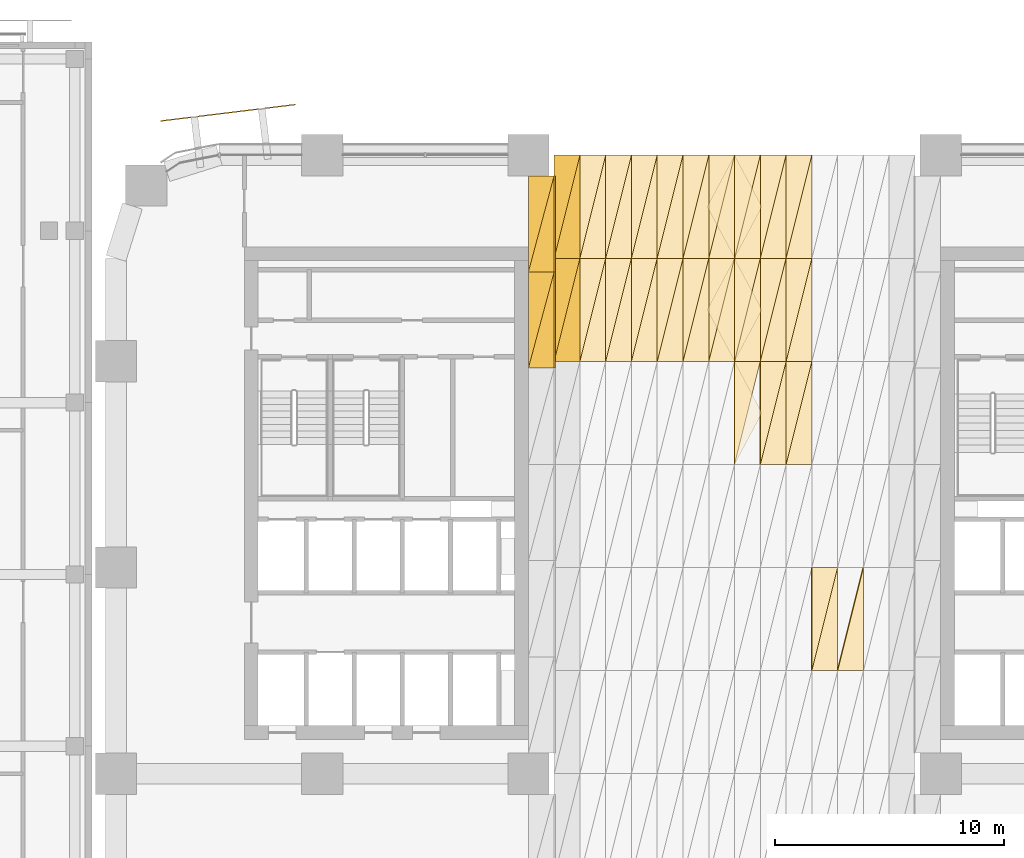
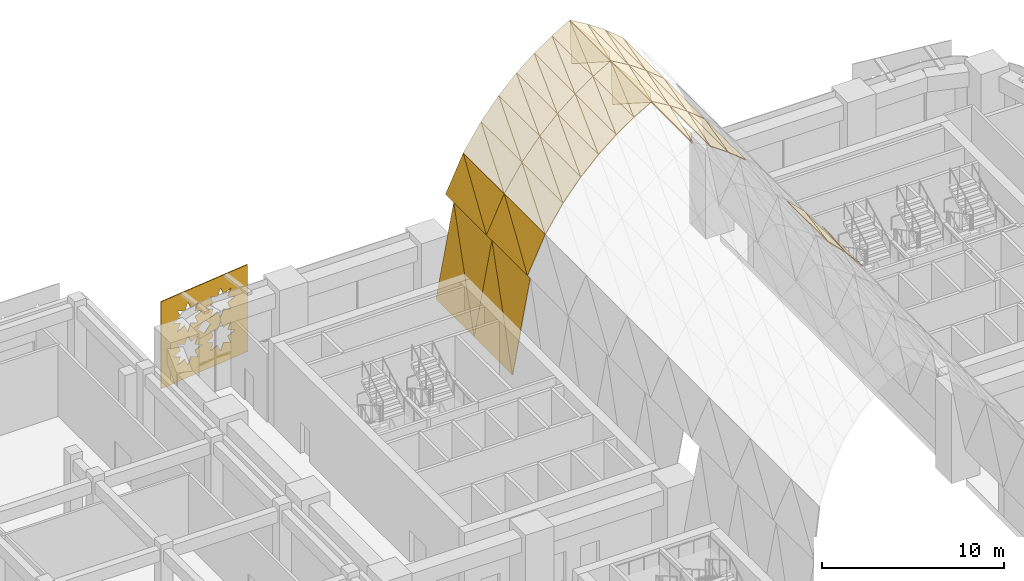
# One storey, part 43 of 46: 58 coverings.
"""IFC4 building model written with IfcOpenShell, lengths in metres."""

from ifc_helpers import new_model, si_unit, direction, frame, origin, place, context, subcontext, project, spatial, polyline, outline, extrude, material, layer, layer_set, type_object, element, save


model = new_model("IFC4")

# Units and contexts
model_context = context("Model", 3, precision=1e-05, world=origin(), true_north=direction((0.0, 1.0)))
body_context = subcontext(model_context, "Body", "Model", "MODEL_VIEW")
ifc_project = project(units=[si_unit("LENGTHUNIT", "METRE"), si_unit("AREAUNIT", "SQUARE_METRE"), si_unit("VOLUMEUNIT", "CUBIC_METRE"), si_unit("PLANEANGLEUNIT", "RADIAN"), si_unit("MASSUNIT", "GRAM", prefix="KILO")], contexts=[model_context])

# Site, building, storey
site_placement = place(None, origin())
site = spatial("IfcSite", under=ifc_project, at=site_placement, CompositionType="ELEMENT")
building_placement = place(site_placement, origin())
building = spatial("IfcBuilding", under=site, at=building_placement, Name="Tessera Arch", CompositionType="ELEMENT")
storey_placement = place(building_placement, frame((0.0, 0.0, 8.0)))
storey = spatial("IfcBuildingStorey", under=building, at=storey_placement, Name="L01", CompositionType="ELEMENT", Elevation=8.0)

# Coverings
ifc_material_1 = material(Name="Aluminium cladding pale metal anodised", Category="aluminium")
ifc_layer_1 = layer(ifc_material_1, 0.050048828125)
ifc_layer_set_1 = layer_set([ifc_layer_1], Name="Arch soffit panel")
covering_type_1 = type_object("IfcCoveringType", Name="Arch soffit panel", PredefinedType="CLADDING", material=ifc_layer_set_1)
covering_1_placement = place(storey_placement, frame((18.0, 44.699951171875, 2.0), z_axis=(-0.98331706381, 0.0, 0.181899840628), x_axis=(0.181899840628, 0.0, 0.98331706381)))
element("IfcCovering", 1, at=covering_1_placement, inside=storey, type_object=covering_type_1, Name="Arch soffit panel 1-11-1", PredefinedType="CLADDING", context=body_context, shape_type="SweptSolid", body=[
    extrude(outline(polyline([(0.0, 0.0), (6.184722296170829, 0.0), (6.184722296170829, 4.199951171875), (0.0, 0.0)])), origin(), (0.0, 0.0, -1.0), 0.050048828125),
])
covering_2_placement = place(storey_placement, frame((18.0, 44.699951171875, 2.0), z_axis=(-0.98331706381, 0.0, 0.181899840628), x_axis=(0.150481805158, 0.561792207927, 0.81347694585)))
element("IfcCovering", 2, at=covering_2_placement, inside=storey, type_object=covering_type_1, Name="Arch soffit panel 1-11-2", PredefinedType="CLADDING", context=body_context, shape_type="SweptSolid", body=[
    extrude(outline(polyline([(0.0, 0.0), (7.475986873108242, 4.440892098500626e-16), (2.3594998420322653, 3.474528794179709), (0.0, 0.0)])), origin(), (0.0, 0.0, -1.0), 0.050048828125),
])
covering_3_placement = place(storey_placement, frame((18.0, 48.89990234375, 2.0), z_axis=(-0.98331706381, 0.0, 0.181899840628), x_axis=(0.181899840628, 0.0, 0.98331706381)))
element("IfcCovering", 3, at=covering_3_placement, inside=storey, type_object=covering_type_1, Name="Arch soffit panel 1-12-1", PredefinedType="CLADDING", context=body_context, shape_type="SweptSolid", body=[
    extrude(outline(polyline([(0.0, 0.0), (6.184722296170829, 0.0), (6.184722296170829, 4.200195312500001), (0.0, 0.0)])), origin(), (0.0, 0.0, -1.0), 0.050048828125),
])
covering_4_placement = place(storey_placement, frame((18.0, 48.89990234375, 2.0), z_axis=(-0.98331706381, 0.0, 0.181899840628), x_axis=(0.150479044377, 0.561814557175, 0.813462021578)))
element("IfcCovering", 4, at=covering_4_placement, inside=storey, type_object=covering_type_1, Name="Arch soffit panel 1-12-2", PredefinedType="CLADDING", context=body_context, shape_type="SweptSolid", body=[
    extrude(outline(polyline([(0.0, 0.0), (7.47612403213721, 4.440892098500626e-16), (2.3597308695403933, 3.4746670180731147), (0.0, 0.0)])), origin(), (0.0, 0.0, -1.0), 0.050048828125),
])
covering_5_placement = place(storey_placement, frame((19.125, 45.0, 8.08154296875), z_axis=(-0.903430696756, 0.0, 0.428734155577), x_axis=(0.428734155577, 0.0, 0.903430696756)))
element("IfcCovering", 5, at=covering_5_placement, inside=storey, type_object=covering_type_1, Name="Arch soffit panel 2-11-1", PredefinedType="CLADDING", context=body_context, shape_type="SweptSolid", body=[
    extrude(outline(polyline([(0.0, 0.0), (2.624003675391368, 0.0), (2.624003675391368, 4.500000000000001), (0.0, 0.0)])), origin(), (0.0, 0.0, -1.0), 0.050048828125),
])
covering_6_placement = place(storey_placement, frame((19.125, 45.0, 8.08154296875), z_axis=(-0.903430696756, 0.0, 0.428734155577), x_axis=(0.215965533365, 0.863862133459, 0.455083621739)))
element("IfcCovering", 6, at=covering_6_placement, inside=storey, type_object=covering_type_1, Name="Arch soffit panel 2-11-2", PredefinedType="CLADDING", context=body_context, shape_type="SweptSolid", body=[
    extrude(outline(polyline([(0.0, 0.0), (5.209164548031422, 0.0), (3.887379600564281, 2.2667774132271337), (0.0, 0.0)])), origin(), (0.0, 0.0, -1.0), 0.050048828125),
])
covering_7_placement = place(storey_placement, frame((19.125, 49.5, 8.08154296875), z_axis=(-0.903430696756, 0.0, 0.428734155577), x_axis=(0.428734155577, 0.0, 0.903430696756)))
element("IfcCovering", 7, at=covering_7_placement, inside=storey, type_object=covering_type_1, Name="Arch soffit panel 2-12-1", PredefinedType="CLADDING", context=body_context, shape_type="SweptSolid", body=[
    extrude(outline(polyline([(0.0, 0.0), (2.624003675391368, 0.0), (2.624003675391368, 4.500000000000001), (0.0, 0.0)])), origin(), (0.0, 0.0, -1.0), 0.050048828125),
])
covering_8_placement = place(storey_placement, frame((19.125, 49.5, 8.08154296875), z_axis=(-0.903430696756, 0.0, 0.428734155577), x_axis=(0.215965533365, 0.863862133459, 0.455083621739)))
element("IfcCovering", 8, at=covering_8_placement, inside=storey, type_object=covering_type_1, Name="Arch soffit panel 2-12-2", PredefinedType="CLADDING", context=body_context, shape_type="SweptSolid", body=[
    extrude(outline(polyline([(0.0, 0.0), (5.209164548031422, 0.0), (3.887379600564281, 2.2667774132271337), (0.0, 0.0)])), origin(), (0.0, 0.0, -1.0), 0.050048828125),
])
covering_9_placement = place(storey_placement, frame((20.25, 45.0, 10.4521484375), z_axis=(-0.836058150895, 0.0, 0.548640837272), x_axis=(0.548640837272, 0.0, 0.836058150895)))
element("IfcCovering", 9, at=covering_9_placement, inside=storey, type_object=covering_type_1, Name="Arch soffit panel 3-11-1", PredefinedType="CLADDING", context=body_context, shape_type="SweptSolid", body=[
    extrude(outline(polyline([(0.0, 0.0), (2.050521805110356, 0.0), (2.050521805110356, 4.500000000000001), (0.0, 0.0)])), origin(), (0.0, 0.0, -1.0), 0.050048828125),
])
covering_10_placement = place(storey_placement, frame((20.25, 45.0, 10.4521484375), z_axis=(-0.836058150895, 0.0, 0.548640837272), x_axis=(0.227495016996, 0.909980067983, 0.346673179111)))
element("IfcCovering", 10, at=covering_10_placement, inside=storey, type_object=covering_type_1, Name="Arch soffit panel 3-11-2", PredefinedType="CLADDING", context=body_context, shape_type="SweptSolid", body=[
    extrude(outline(polyline([(0.0, 0.0), (4.945163260523664, 0.0), (4.094910305924995, 1.8659339716156267), (0.0, 0.0)])), origin(), (0.0, 0.0, -1.0), 0.050048828125),
])
covering_11_placement = place(storey_placement, frame((20.25, 49.5, 10.4521484375), z_axis=(-0.836058150895, 0.0, 0.548640837272), x_axis=(0.548640837272, 0.0, 0.836058150895)))
element("IfcCovering", 11, at=covering_11_placement, inside=storey, type_object=covering_type_1, Name="Arch soffit panel 3-12-1", PredefinedType="CLADDING", context=body_context, shape_type="SweptSolid", body=[
    extrude(outline(polyline([(0.0, 0.0), (2.050521805110356, 0.0), (2.050521805110356, 4.500000000000001), (0.0, 0.0)])), origin(), (0.0, 0.0, -1.0), 0.050048828125),
])
covering_12_placement = place(storey_placement, frame((20.25, 49.5, 10.4521484375), z_axis=(-0.836058150895, 0.0, 0.548640837272), x_axis=(0.227495016996, 0.909980067983, 0.346673179111)))
element("IfcCovering", 12, at=covering_12_placement, inside=storey, type_object=covering_type_1, Name="Arch soffit panel 3-12-2", PredefinedType="CLADDING", context=body_context, shape_type="SweptSolid", body=[
    extrude(outline(polyline([(0.0, 0.0), (4.945163260523664, 0.0), (4.094910305924995, 1.8659339716156267), (0.0, 0.0)])), origin(), (0.0, 0.0, -1.0), 0.050048828125),
])
covering_13_placement = place(storey_placement, frame((21.375, 45.0, 12.16650390625), z_axis=(-0.769435590456, 0.0, 0.638724410164), x_axis=(0.638724410164, 0.0, 0.769435590456)))
element("IfcCovering", 13, at=covering_13_placement, inside=storey, type_object=covering_type_1, Name="Arch soffit panel 4-11-1", PredefinedType="CLADDING", context=body_context, shape_type="SweptSolid", body=[
    extrude(outline(polyline([(0.0, 0.0), (1.7613230089496987, 0.0), (1.7613230089496987, 4.5), (0.0, 0.0)])), origin(), (0.0, 0.0, -1.0), 0.050048828125),
])
covering_14_placement = place(storey_placement, frame((21.375, 45.0, 12.16650390625), z_axis=(-0.769435590456, 0.0, 0.638724410164), x_axis=(0.232802733554, 0.931210934214, 0.280444438793)))
element("IfcCovering", 14, at=covering_14_placement, inside=storey, type_object=covering_type_1, Name="Arch soffit panel 4-11-2", PredefinedType="CLADDING", context=body_context, shape_type="SweptSolid", body=[
    extrude(outline(polyline([(0.0, 0.0), (4.832417484226257, 2.220446049250313e-16), (4.190449203964491, 1.640163244617246), (0.0, 0.0)])), origin(), (0.0, 0.0, -1.0), 0.050048828125),
])
covering_15_placement = place(storey_placement, frame((21.375, 49.5, 12.16650390625), z_axis=(-0.769435590456, 0.0, 0.638724410164), x_axis=(0.638724410164, 0.0, 0.769435590456)))
element("IfcCovering", 15, at=covering_15_placement, inside=storey, type_object=covering_type_1, Name="Arch soffit panel 4-12-1", PredefinedType="CLADDING", context=body_context, shape_type="SweptSolid", body=[
    extrude(outline(polyline([(0.0, 0.0), (1.7613230089496987, 0.0), (1.7613230089496987, 4.5), (0.0, 0.0)])), origin(), (0.0, 0.0, -1.0), 0.050048828125),
])
covering_16_placement = place(storey_placement, frame((21.375, 49.5, 12.16650390625), z_axis=(-0.769435590456, 0.0, 0.638724410164), x_axis=(0.232802733554, 0.931210934214, 0.280444438793)))
element("IfcCovering", 16, at=covering_16_placement, inside=storey, type_object=covering_type_1, Name="Arch soffit panel 4-12-2", PredefinedType="CLADDING", context=body_context, shape_type="SweptSolid", body=[
    extrude(outline(polyline([(0.0, 0.0), (4.832417484226257, 2.220446049250313e-16), (4.190449203964491, 1.640163244617246), (0.0, 0.0)])), origin(), (0.0, 0.0, -1.0), 0.050048828125),
])
covering_17_placement = place(storey_placement, frame((22.5, 45.0, 13.521728515625), z_axis=(-0.70300502251, 0.0, 0.711184883364), x_axis=(0.711184883364, 0.0, 0.70300502251)))
element("IfcCovering", 17, at=covering_17_placement, inside=storey, type_object=covering_type_1, Name="Arch soffit panel 5-11-1", PredefinedType="CLADDING", context=body_context, shape_type="SweptSolid", body=[
    extrude(outline(polyline([(0.0, 0.0), (1.5818671435730385, 0.0), (1.5818671435730385, 4.5), (0.0, 0.0)])), origin(), (0.0, 0.0, -1.0), 0.050048828125),
])
covering_18_placement = place(storey_placement, frame((22.5, 45.0, 13.521728515625), z_axis=(-0.70300502251, 0.0, 0.711184883364), x_axis=(0.235852147397, 0.943408589587, 0.233139438236)))
element("IfcCovering", 18, at=covering_18_placement, inside=storey, type_object=covering_type_1, Name="Arch soffit panel 5-11-2", PredefinedType="CLADDING", context=body_context, shape_type="SweptSolid", body=[
    extrude(outline(polyline([(0.0, 0.0), (4.769937490147635, 0.0), (4.245338653143071, 1.4923470508328087), (0.0, 0.0)])), origin(), (0.0, 0.0, -1.0), 0.050048828125),
])
covering_19_placement = place(storey_placement, frame((22.5, 49.5, 13.521728515625), z_axis=(-0.70300502251, 0.0, 0.711184883364), x_axis=(0.711184883364, 0.0, 0.70300502251)))
element("IfcCovering", 19, at=covering_19_placement, inside=storey, type_object=covering_type_1, Name="Arch soffit panel 5-12-1", PredefinedType="CLADDING", context=body_context, shape_type="SweptSolid", body=[
    extrude(outline(polyline([(0.0, 0.0), (1.5818671435730385, 0.0), (1.5818671435730385, 4.5), (0.0, 0.0)])), origin(), (0.0, 0.0, -1.0), 0.050048828125),
])
covering_20_placement = place(storey_placement, frame((22.5, 49.5, 13.521728515625), z_axis=(-0.70300502251, 0.0, 0.711184883364), x_axis=(0.235852147397, 0.943408589587, 0.233139438236)))
element("IfcCovering", 20, at=covering_20_placement, inside=storey, type_object=covering_type_1, Name="Arch soffit panel 5-12-2", PredefinedType="CLADDING", context=body_context, shape_type="SweptSolid", body=[
    extrude(outline(polyline([(0.0, 0.0), (4.769937490147635, 0.0), (4.245338653143071, 1.4923470508328087), (0.0, 0.0)])), origin(), (0.0, 0.0, -1.0), 0.050048828125),
])
covering_21_placement = place(storey_placement, frame((23.625, 45.0, 14.6337890625), z_axis=(-0.636621915226, 0.0, 0.771176073964), x_axis=(0.771176073964, 0.0, 0.636621915226)))
element("IfcCovering", 21, at=covering_21_placement, inside=storey, type_object=covering_type_1, Name="Arch soffit panel 6-11-1", PredefinedType="CLADDING", context=body_context, shape_type="SweptSolid", body=[
    extrude(outline(polyline([(0.0, 0.0), (1.4588108189316835, 0.0), (1.4588108189316835, 4.5), (0.0, 0.0)])), origin(), (0.0, 0.0, -1.0), 0.050048828125),
])
covering_22_placement = place(storey_placement, frame((23.625, 45.0, 14.6337890625), z_axis=(-0.636621915226, 0.0, 0.771176073964), x_axis=(0.237815762211, 0.951263048844, 0.1963218662)))
element("IfcCovering", 22, at=covering_22_placement, inside=storey, type_object=covering_type_1, Name="Arch soffit panel 6-11-2", PredefinedType="CLADDING", context=body_context, shape_type="SweptSolid", body=[
    extrude(outline(polyline([(0.0, 0.0), (4.730552716695177, 1.1102230246251565e-16), (4.280683719797313, 1.3877128273033432), (0.0, 0.0)])), origin(), (0.0, 0.0, -1.0), 0.050048828125),
])
covering_23_placement = place(storey_placement, frame((23.625, 49.5, 14.6337890625), z_axis=(-0.636621915226, 0.0, 0.771176073964), x_axis=(0.771176073964, 0.0, 0.636621915226)))
element("IfcCovering", 23, at=covering_23_placement, inside=storey, type_object=covering_type_1, Name="Arch soffit panel 6-12-1", PredefinedType="CLADDING", context=body_context, shape_type="SweptSolid", body=[
    extrude(outline(polyline([(0.0, 0.0), (1.4588108189316835, 0.0), (1.4588108189316835, 4.5), (0.0, 0.0)])), origin(), (0.0, 0.0, -1.0), 0.050048828125),
])
covering_24_placement = place(storey_placement, frame((23.625, 49.5, 14.6337890625), z_axis=(-0.636621915226, 0.0, 0.771176073964), x_axis=(0.237815762211, 0.951263048844, 0.1963218662)))
element("IfcCovering", 24, at=covering_24_placement, inside=storey, type_object=covering_type_1, Name="Arch soffit panel 6-12-2", PredefinedType="CLADDING", context=body_context, shape_type="SweptSolid", body=[
    extrude(outline(polyline([(0.0, 0.0), (4.730552716695177, 1.1102230246251565e-16), (4.280683719797313, 1.3877128273033432), (0.0, 0.0)])), origin(), (0.0, 0.0, -1.0), 0.050048828125),
])
covering_25_placement = place(storey_placement, frame((24.75, 45.0, 15.5625), z_axis=(-0.570275535921, 0.0, 0.821453475938), x_axis=(0.821453475938, 0.0, 0.570275535921)))
element("IfcCovering", 25, at=covering_25_placement, inside=storey, type_object=covering_type_1, Name="Arch soffit panel 7-11-1", PredefinedType="CLADDING", context=body_context, shape_type="SweptSolid", body=[
    extrude(outline(polyline([(0.0, 0.0), (1.3695236954423544, 0.0), (1.3695236954423544, 4.5), (0.0, 0.0)])), origin(), (0.0, 0.0, -1.0), 0.050048828125),
])
covering_26_placement = place(storey_placement, frame((24.75, 45.0, 15.5625), z_axis=(-0.570275535921, 0.0, 0.821453475938), x_axis=(0.239169084806, 0.956676339224, 0.166037739213)))
element("IfcCovering", 26, at=covering_26_placement, inside=storey, type_object=covering_type_1, Name="Arch soffit panel 7-11-2", PredefinedType="CLADDING", context=body_context, shape_type="SweptSolid", body=[
    extrude(outline(polyline([(0.0, 0.0), (4.703785194115276, 1.6653345369377348e-16), (4.305043526505844, 1.3101909154356595), (0.0, 0.0)])), origin(), (0.0, 0.0, -1.0), 0.050048828125),
])
covering_27_placement = place(storey_placement, frame((24.75, 49.5, 15.5625), z_axis=(-0.570275535921, 0.0, 0.821453475938), x_axis=(0.821453475938, 0.0, 0.570275535921)))
element("IfcCovering", 27, at=covering_27_placement, inside=storey, type_object=covering_type_1, Name="Arch soffit panel 7-12-1", PredefinedType="CLADDING", context=body_context, shape_type="SweptSolid", body=[
    extrude(outline(polyline([(0.0, 0.0), (1.3695236954423544, 0.0), (1.3695236954423544, 4.5), (0.0, 0.0)])), origin(), (0.0, 0.0, -1.0), 0.050048828125),
])
covering_28_placement = place(storey_placement, frame((24.75, 49.5, 15.5625), z_axis=(-0.570275535921, 0.0, 0.821453475938), x_axis=(0.239169084806, 0.956676339224, 0.166037739213)))
element("IfcCovering", 28, at=covering_28_placement, inside=storey, type_object=covering_type_1, Name="Arch soffit panel 7-12-2", PredefinedType="CLADDING", context=body_context, shape_type="SweptSolid", body=[
    extrude(outline(polyline([(0.0, 0.0), (4.703785194115276, 1.6653345369377348e-16), (4.305043526505844, 1.3101909154356595), (0.0, 0.0)])), origin(), (0.0, 0.0, -1.0), 0.050048828125),
])
covering_29_placement = place(storey_placement, frame((25.875, 45.0, 16.343505859375), z_axis=(-0.504010866283, 0.0, 0.863697311949), x_axis=(0.863697311949, 0.0, 0.504010866283)))
element("IfcCovering", 29, at=covering_29_placement, inside=storey, type_object=covering_type_1, Name="Arch soffit panel 8-11-1", PredefinedType="CLADDING", context=body_context, shape_type="SweptSolid", body=[
    extrude(outline(polyline([(0.0, 0.0), (1.3025396564692215, 0.0), (1.3025396564692215, 4.5), (0.0, 0.0)])), origin(), (0.0, 0.0, -1.0), 0.050048828125),
])
covering_30_placement = place(storey_placement, frame((25.875, 45.0, 16.343505859375), z_axis=(-0.504010866283, 0.0, 0.863697311949), x_axis=(0.240142376268, 0.960569505072, 0.140135167054)))
element("IfcCovering", 30, at=covering_30_placement, inside=storey, type_object=covering_type_1, Name="Arch soffit panel 8-11-2", PredefinedType="CLADDING", context=body_context, shape_type="SweptSolid", body=[
    extrude(outline(polyline([(0.0, 0.0), (4.684720862193921, 1.6653345369377348e-16), (4.322562772825837, 1.2511798731518247), (0.0, 0.0)])), origin(), (0.0, 0.0, -1.0), 0.050048828125),
])
covering_31_placement = place(storey_placement, frame((25.875, 49.5, 16.343505859375), z_axis=(-0.504010866283, 0.0, 0.863697311949), x_axis=(0.863697311949, 0.0, 0.504010866283)))
element("IfcCovering", 31, at=covering_31_placement, inside=storey, type_object=covering_type_1, Name="Arch soffit panel 8-12-1", PredefinedType="CLADDING", context=body_context, shape_type="SweptSolid", body=[
    extrude(outline(polyline([(0.0, 0.0), (1.3025396564692215, 0.0), (1.3025396564692215, 4.5), (0.0, 0.0)])), origin(), (0.0, 0.0, -1.0), 0.050048828125),
])
for number, where, z_axis, x_axis, name in (
    (32, (25.875, 49.5, 16.343505859375), (-0.504010866283, 0.0, 0.863697311949), (0.240142376268, 0.960569505072, 0.140135167054), "Arch soffit panel 8-12-2"),
    (33, (27.0, 40.5, 17.0), (0.504010866283, 0.0, 0.863697311949), (0.240142376268, 0.960569505072, -0.140135167054), "Arch soffit panel 9-10-2"),
):
    element("IfcCovering", number, at=place(storey_placement, frame(where, z_axis=z_axis, x_axis=x_axis)), inside=storey, type_object=covering_type_1, Name=name, PredefinedType="CLADDING", context=body_context, shape_type="SweptSolid", body=[
        extrude(outline(polyline([(0.0, 0.0), (4.684720862193921, 1.6653345369377348e-16), (4.322562772825837, 1.2511798731518247), (0.0, 0.0)])), origin(), (0.0, 0.0, -1.0), 0.050048828125),
    ])
covering_32_placement = place(storey_placement, frame((27.0, 45.0, 17.0), z_axis=(0.504010866283, 0.0, 0.863697311949), x_axis=(0.863697311949, 0.0, -0.504010866283)))
element("IfcCovering", 34, at=covering_32_placement, inside=storey, type_object=covering_type_1, Name="Arch soffit panel 9-11-1", PredefinedType="CLADDING", context=body_context, shape_type="SweptSolid", body=[
    extrude(outline(polyline([(0.0, 0.0), (1.3025396564692215, 0.0), (1.3025396564692215, 4.5), (0.0, 0.0)])), origin(), (0.0, 0.0, -1.0), 0.050048828125),
])
covering_33_placement = place(storey_placement, frame((27.0, 45.0, 17.0), z_axis=(0.504010866283, 0.0, 0.863697311949), x_axis=(0.240142376268, 0.960569505072, -0.140135167054)))
element("IfcCovering", 35, at=covering_33_placement, inside=storey, type_object=covering_type_1, Name="Arch soffit panel 9-11-2", PredefinedType="CLADDING", context=body_context, shape_type="SweptSolid", body=[
    extrude(outline(polyline([(0.0, 0.0), (4.684720862193921, 1.6653345369377348e-16), (4.322562772825837, 1.2511798731518247), (0.0, 0.0)])), origin(), (0.0, 0.0, -1.0), 0.050048828125),
])
covering_34_placement = place(storey_placement, frame((27.0, 49.5, 17.0), z_axis=(0.504010866283, 0.0, 0.863697311949), x_axis=(0.863697311949, 0.0, -0.504010866283)))
element("IfcCovering", 36, at=covering_34_placement, inside=storey, type_object=covering_type_1, Name="Arch soffit panel 9-12-1", PredefinedType="CLADDING", context=body_context, shape_type="SweptSolid", body=[
    extrude(outline(polyline([(0.0, 0.0), (1.3025396564692215, 0.0), (1.3025396564692215, 4.5), (0.0, 0.0)])), origin(), (0.0, 0.0, -1.0), 0.050048828125),
])
covering_35_placement = place(storey_placement, frame((27.0, 49.5, 17.0), z_axis=(0.504010866283, 0.0, 0.863697311949), x_axis=(0.240142376268, 0.960569505072, -0.140135167054)))
element("IfcCovering", 37, at=covering_35_placement, inside=storey, type_object=covering_type_1, Name="Arch soffit panel 9-12-2", PredefinedType="CLADDING", context=body_context, shape_type="SweptSolid", body=[
    extrude(outline(polyline([(0.0, 0.0), (4.684720862193921, 1.6653345369377348e-16), (4.322562772825837, 1.2511798731518247), (0.0, 0.0)])), origin(), (0.0, 0.0, -1.0), 0.050048828125),
])
covering_36_placement = place(storey_placement, frame((28.125, 40.5, 16.343505859375), z_axis=(0.570275535921, 0.0, 0.821453475938), x_axis=(0.821453475938, 0.0, -0.570275535921)))
element("IfcCovering", 38, at=covering_36_placement, inside=storey, type_object=covering_type_1, Name="Arch soffit panel 10-10-1", PredefinedType="CLADDING", context=body_context, shape_type="SweptSolid", body=[
    extrude(outline(polyline([(0.0, 0.0), (1.3695236954423544, 0.0), (1.3695236954423544, 4.5), (0.0, 0.0)])), origin(), (0.0, 0.0, -1.0), 0.050048828125),
])
covering_37_placement = place(storey_placement, frame((28.125, 40.5, 16.343505859375), z_axis=(0.570275535921, 0.0, 0.821453475938), x_axis=(0.239169084806, 0.956676339224, -0.166037739213)))
element("IfcCovering", 39, at=covering_37_placement, inside=storey, type_object=covering_type_1, Name="Arch soffit panel 10-10-2", PredefinedType="CLADDING", context=body_context, shape_type="SweptSolid", body=[
    extrude(outline(polyline([(0.0, 0.0), (4.703785194115276, 1.6653345369377348e-16), (4.305043526505844, 1.3101909154356595), (0.0, 0.0)])), origin(), (0.0, 0.0, -1.0), 0.050048828125),
])
covering_38_placement = place(storey_placement, frame((28.125, 45.0, 16.343505859375), z_axis=(0.570275535921, 0.0, 0.821453475938), x_axis=(0.821453475938, 0.0, -0.570275535921)))
element("IfcCovering", 40, at=covering_38_placement, inside=storey, type_object=covering_type_1, Name="Arch soffit panel 10-11-1", PredefinedType="CLADDING", context=body_context, shape_type="SweptSolid", body=[
    extrude(outline(polyline([(0.0, 0.0), (1.3695236954423544, 0.0), (1.3695236954423544, 4.5), (0.0, 0.0)])), origin(), (0.0, 0.0, -1.0), 0.050048828125),
])
covering_39_placement = place(storey_placement, frame((28.125, 45.0, 16.343505859375), z_axis=(0.570275535921, 0.0, 0.821453475938), x_axis=(0.239169084806, 0.956676339224, -0.166037739213)))
element("IfcCovering", 41, at=covering_39_placement, inside=storey, type_object=covering_type_1, Name="Arch soffit panel 10-11-2", PredefinedType="CLADDING", context=body_context, shape_type="SweptSolid", body=[
    extrude(outline(polyline([(0.0, 0.0), (4.703785194115276, 1.6653345369377348e-16), (4.305043526505844, 1.3101909154356595), (0.0, 0.0)])), origin(), (0.0, 0.0, -1.0), 0.050048828125),
])
covering_40_placement = place(storey_placement, frame((28.125, 49.5, 16.343505859375), z_axis=(0.570275535921, 0.0, 0.821453475938), x_axis=(0.821453475938, 0.0, -0.570275535921)))
element("IfcCovering", 42, at=covering_40_placement, inside=storey, type_object=covering_type_1, Name="Arch soffit panel 10-12-1", PredefinedType="CLADDING", context=body_context, shape_type="SweptSolid", body=[
    extrude(outline(polyline([(0.0, 0.0), (1.3695236954423544, 0.0), (1.3695236954423544, 4.5), (0.0, 0.0)])), origin(), (0.0, 0.0, -1.0), 0.050048828125),
])
covering_41_placement = place(storey_placement, frame((28.125, 49.5, 16.343505859375), z_axis=(0.570275535921, 0.0, 0.821453475938), x_axis=(0.239169084806, 0.956676339224, -0.166037739213)))
element("IfcCovering", 43, at=covering_41_placement, inside=storey, type_object=covering_type_1, Name="Arch soffit panel 10-12-2", PredefinedType="CLADDING", context=body_context, shape_type="SweptSolid", body=[
    extrude(outline(polyline([(0.0, 0.0), (4.703785194115276, 1.6653345369377348e-16), (4.305043526505844, 1.3101909154356595), (0.0, 0.0)])), origin(), (0.0, 0.0, -1.0), 0.050048828125),
])
covering_42_placement = place(storey_placement, frame((29.25, 40.5, 15.5625), z_axis=(0.636621915226, 0.0, 0.771176073964), x_axis=(0.771176073964, 0.0, -0.636621915226)))
element("IfcCovering", 44, at=covering_42_placement, inside=storey, type_object=covering_type_1, Name="Arch soffit panel 11-10-1", PredefinedType="CLADDING", context=body_context, shape_type="SweptSolid", body=[
    extrude(outline(polyline([(0.0, 0.0), (1.4588108189316835, 0.0), (1.4588108189316835, 4.5), (0.0, 0.0)])), origin(), (0.0, 0.0, -1.0), 0.050048828125),
])
covering_43_placement = place(storey_placement, frame((29.25, 40.5, 15.5625), z_axis=(0.636621915226, 0.0, 0.771176073964), x_axis=(0.237815762211, 0.951263048844, -0.1963218662)))
element("IfcCovering", 45, at=covering_43_placement, inside=storey, type_object=covering_type_1, Name="Arch soffit panel 11-10-2", PredefinedType="CLADDING", context=body_context, shape_type="SweptSolid", body=[
    extrude(outline(polyline([(0.0, 0.0), (4.730552716695177, 1.1102230246251565e-16), (4.280683719797313, 1.3877128273033432), (0.0, 0.0)])), origin(), (0.0, 0.0, -1.0), 0.050048828125),
])
covering_44_placement = place(storey_placement, frame((29.25, 45.0, 15.5625), z_axis=(0.636621915226, 0.0, 0.771176073964), x_axis=(0.771176073964, 0.0, -0.636621915226)))
element("IfcCovering", 46, at=covering_44_placement, inside=storey, type_object=covering_type_1, Name="Arch soffit panel 11-11-1", PredefinedType="CLADDING", context=body_context, shape_type="SweptSolid", body=[
    extrude(outline(polyline([(0.0, 0.0), (1.4588108189316835, 0.0), (1.4588108189316835, 4.5), (0.0, 0.0)])), origin(), (0.0, 0.0, -1.0), 0.050048828125),
])
covering_45_placement = place(storey_placement, frame((29.25, 45.0, 15.5625), z_axis=(0.636621915226, 0.0, 0.771176073964), x_axis=(0.237815762211, 0.951263048844, -0.1963218662)))
element("IfcCovering", 47, at=covering_45_placement, inside=storey, type_object=covering_type_1, Name="Arch soffit panel 11-11-2", PredefinedType="CLADDING", context=body_context, shape_type="SweptSolid", body=[
    extrude(outline(polyline([(0.0, 0.0), (4.730552716695177, 1.1102230246251565e-16), (4.280683719797313, 1.3877128273033432), (0.0, 0.0)])), origin(), (0.0, 0.0, -1.0), 0.050048828125),
])
covering_46_placement = place(storey_placement, frame((29.25, 49.5, 15.5625), z_axis=(0.636621915226, 0.0, 0.771176073964), x_axis=(0.771176073964, 0.0, -0.636621915226)))
element("IfcCovering", 48, at=covering_46_placement, inside=storey, type_object=covering_type_1, Name="Arch soffit panel 11-12-1", PredefinedType="CLADDING", context=body_context, shape_type="SweptSolid", body=[
    extrude(outline(polyline([(0.0, 0.0), (1.4588108189316835, 0.0), (1.4588108189316835, 4.5), (0.0, 0.0)])), origin(), (0.0, 0.0, -1.0), 0.050048828125),
])
covering_47_placement = place(storey_placement, frame((29.25, 49.5, 15.5625), z_axis=(0.636621915226, 0.0, 0.771176073964), x_axis=(0.237815762211, 0.951263048844, -0.1963218662)))
element("IfcCovering", 49, at=covering_47_placement, inside=storey, type_object=covering_type_1, Name="Arch soffit panel 11-12-2", PredefinedType="CLADDING", context=body_context, shape_type="SweptSolid", body=[
    extrude(outline(polyline([(0.0, 0.0), (4.730552716695177, 1.1102230246251565e-16), (4.280683719797313, 1.3877128273033432), (0.0, 0.0)])), origin(), (0.0, 0.0, -1.0), 0.050048828125),
])
covering_48_placement = place(storey_placement, frame((30.375, 31.5, 14.6337890625), z_axis=(0.70300502251, 0.0, 0.711184883364), x_axis=(0.711184883364, 0.0, -0.70300502251)))
element("IfcCovering", 50, at=covering_48_placement, inside=storey, type_object=covering_type_1, Name="Arch soffit panel 12-8-1", PredefinedType="CLADDING", context=body_context, shape_type="SweptSolid", body=[
    extrude(outline(polyline([(0.0, 0.0), (1.5818671435730385, 0.0), (1.5818671435730385, 4.5), (0.0, 0.0)])), origin(), (0.0, 0.0, -1.0), 0.050048828125),
])
covering_49_placement = place(storey_placement, frame((30.375, 31.5, 14.6337890625), z_axis=(0.70300502251, 0.0, 0.711184883364), x_axis=(0.235852147397, 0.943408589587, -0.233139438236)))
element("IfcCovering", 51, at=covering_49_placement, inside=storey, type_object=covering_type_1, Name="Arch soffit panel 12-8-2", PredefinedType="CLADDING", context=body_context, shape_type="SweptSolid", body=[
    extrude(outline(polyline([(0.0, 0.0), (4.769937490147635, 0.0), (4.245338653143071, 1.4923470508328087), (0.0, 0.0)])), origin(), (0.0, 0.0, -1.0), 0.050048828125),
])
covering_50_placement = place(storey_placement, frame((31.5, 31.5, 13.521728515625), z_axis=(0.769435590456, 0.0, 0.638724410164), x_axis=(0.638724410164, 0.0, -0.769435590456)))
element("IfcCovering", 52, at=covering_50_placement, inside=storey, type_object=covering_type_1, Name="Arch soffit panel 13-8-1", PredefinedType="CLADDING", context=body_context, shape_type="SweptSolid", body=[
    extrude(outline(polyline([(0.0, 0.0), (1.7613230089496987, 0.0), (1.7613230089496987, 4.5), (0.0, 0.0)])), origin(), (0.0, 0.0, -1.0), 0.050048828125),
])
covering_51_placement = place(storey_placement, frame((27.0, 40.5, 16.949951171875), z_axis=(0.675690668518, 0.0, 0.737185268761), x_axis=(0.0, 1.0, 0.0)))
element("IfcCovering", 53, at=covering_51_placement, inside=storey, type_object=covering_type_1, Name="Arch soffit facet E10", PredefinedType="CLADDING", context=body_context, shape_type="SweptSolid", body=[
    extrude(outline(polyline([(0.0, 0.0), (4.5, 0.0), (2.25, -1.6277470843828468), (0.0, 0.0)])), origin(), (0.0, 0.0, -1.0), 0.050048828125),
])
covering_52_placement = place(storey_placement, frame((27.0, 45.0, 16.949951171875), z_axis=(-0.675690668518, 0.0, 0.737185268761), x_axis=(0.0, 1.0, 0.0)))
element("IfcCovering", 54, at=covering_52_placement, inside=storey, type_object=covering_type_1, Name="Arch soffit facet W11", PredefinedType="CLADDING", context=body_context, shape_type="SweptSolid", body=[
    extrude(outline(polyline([(0.0, 0.0), (4.5, 0.0), (2.25, 1.6277470843828468), (0.0, 0.0)])), origin(), (0.0, 0.0, -1.0), 0.050048828125),
])
covering_53_placement = place(storey_placement, frame((27.0, 45.0, 16.949951171875), z_axis=(0.675690668518, 0.0, 0.737185268761), x_axis=(0.0, 1.0, 0.0)))
element("IfcCovering", 55, at=covering_53_placement, inside=storey, type_object=covering_type_1, Name="Arch soffit facet E11", PredefinedType="CLADDING", context=body_context, shape_type="SweptSolid", body=[
    extrude(outline(polyline([(0.0, 0.0), (4.5, 0.0), (2.25, -1.6277470843828468), (0.0, 0.0)])), origin(), (0.0, 0.0, -1.0), 0.050048828125),
])
covering_54_placement = place(storey_placement, frame((27.0, 49.5, 16.949951171875), z_axis=(-0.675690668518, 0.0, 0.737185268761), x_axis=(0.0, 1.0, 0.0)))
element("IfcCovering", 56, at=covering_54_placement, inside=storey, type_object=covering_type_1, Name="Arch soffit facet W12", PredefinedType="CLADDING", context=body_context, shape_type="SweptSolid", body=[
    extrude(outline(polyline([(0.0, 0.0), (4.5, 0.0), (2.25, 1.6277470843828468), (0.0, 0.0)])), origin(), (0.0, 0.0, -1.0), 0.050048828125),
])
covering_55_placement = place(storey_placement, frame((27.0, 49.5, 16.949951171875), z_axis=(0.675690668518, 0.0, 0.737185268761), x_axis=(0.0, 1.0, 0.0)))
element("IfcCovering", 57, at=covering_55_placement, inside=storey, type_object=covering_type_1, Name="Arch soffit facet E12", PredefinedType="CLADDING", context=body_context, shape_type="SweptSolid", body=[
    extrude(outline(polyline([(0.0, 0.0), (4.5, 0.0), (2.25, -1.6277470843828468), (0.0, 0.0)])), origin(), (0.0, 0.0, -1.0), 0.050048828125),
])
ifc_material_2 = material(Name="Anodised aluminium pale metal", Category="aluminium")
ifc_layer_2 = layer(ifc_material_2, 0.050048828125)
ifc_layer_set_2 = layer_set([ifc_layer_2], Name="Base lattice panel pale metal")
covering_type_2 = type_object("IfcCoveringType", Name="Base lattice panel pale metal", PredefinedType="CLADDING", material=ifc_layer_set_2)
covering_56_placement = place(storey_placement, frame((7.833984375, 56.183837890625, 6.0), z_axis=(0.120966249049, -0.992656620686, 0.0), x_axis=(-0.992656620686, -0.120966249049, 0.0)))
element("IfcCovering", 58, at=covering_56_placement, inside=storey, type_object=covering_type_2, Name="Base lattice panel N54.0/1 L01", PredefinedType="CLADDING", context=body_context, shape_type="SweptSolid", body=[
    extrude(outline(polyline([(0.0, 0.0), (5.925593962252626, 0.0), (5.925593962252626, 5.840087890625), (0.0, 5.840087890625), (0.0, 0.0)]), holes=[polyline([(2.828132860395926, 4.044921875), (2.336987823767969, 3.837890625), (2.53815207532478, 3.344970703125), (2.0440693322277617, 3.5458984375), (1.8379695261883193, 3.054931640625), (1.6311131439498763, 3.5458984375), (1.1379997920839962, 3.344970703125), (1.3391640436408068, 3.837890625), (0.84801900701285, 4.044921875), (1.3391640436408068, 4.251953125), (1.1379997920839962, 4.7451171875), (1.6311131439498763, 4.5439453125), (1.8379695261883193, 5.034912109375), (2.0440693322277617, 4.5439453125), (2.53815207532478, 4.7451171875), (2.336987823767969, 4.251953125), (2.828132860395926, 4.044921875)]), polyline([(2.828132860395926, 1.794921875), (2.336987823767969, 1.587890625), (2.53815207532478, 1.094970703125), (2.0440693322277617, 1.2958984375), (1.8379695261883193, 0.804931640625), (1.6311131439498763, 1.2958984375), (1.1379997920839962, 1.094970703125), (1.3391640436408068, 1.587890625), (0.84801900701285, 1.794921875), (1.3391640436408068, 2.001953125), (1.1379997920839962, 2.4951171875), (1.6311131439498763, 2.2939453125), (1.8379695261883193, 2.784912109375), (2.0440693322277617, 2.2939453125), (2.53815207532478, 2.4951171875), (2.336987823767969, 2.001953125), (2.828132860395926, 1.794921875)]), polyline([(5.078059650855345, 4.044921875), (4.5871569620351735, 3.837890625), (4.7880788657841995, 3.344970703125), (4.294208937719319, 3.5458984375), (4.088109131679876, 3.054931640625), (3.8810399344092956, 3.5458984375), (3.3881393975755536, 3.344970703125), (3.5890908341002263, 3.837890625), (3.0979457974722693, 4.044921875), (3.5890908341002263, 4.251953125), (3.3881393975755536, 4.7451171875), (3.8810399344092956, 4.5439453125), (4.088109131679876, 5.034912109375), (4.294208937719319, 4.5439453125), (4.7880788657841995, 4.7451171875), (4.5871569620351735, 4.251953125), (5.078059650855345, 4.044921875)]), polyline([(5.078059650855345, 1.794921875), (4.5871569620351735, 1.587890625), (4.7880788657841995, 1.094970703125), (4.294208937719319, 1.2958984375), (4.088109131679876, 0.804931640625), (3.8810399344092956, 1.2958984375), (3.3881393975755536, 1.094970703125), (3.5890908341002263, 1.587890625), (3.0979457974722693, 1.794921875), (3.5890908341002263, 2.001953125), (3.3881393975755536, 2.4951171875), (3.8810399344092956, 2.2939453125), (4.088109131679876, 2.784912109375), (4.294208937719319, 2.2939453125), (4.7880788657841995, 2.4951171875), (4.5871569620351735, 2.001953125), (5.078059650855345, 1.794921875)]), polyline([(3.4130004522452033, 2.919921875), (2.96316050283799, 2.469970703125), (2.5130782056229926, 2.919921875), (2.96316050283799, 3.3701171875), (3.4130004522452033, 2.919921875)])]), origin(), (0.0, 0.0, -1.0), 0.050048828125),
])

save(model, "model.ifc")
